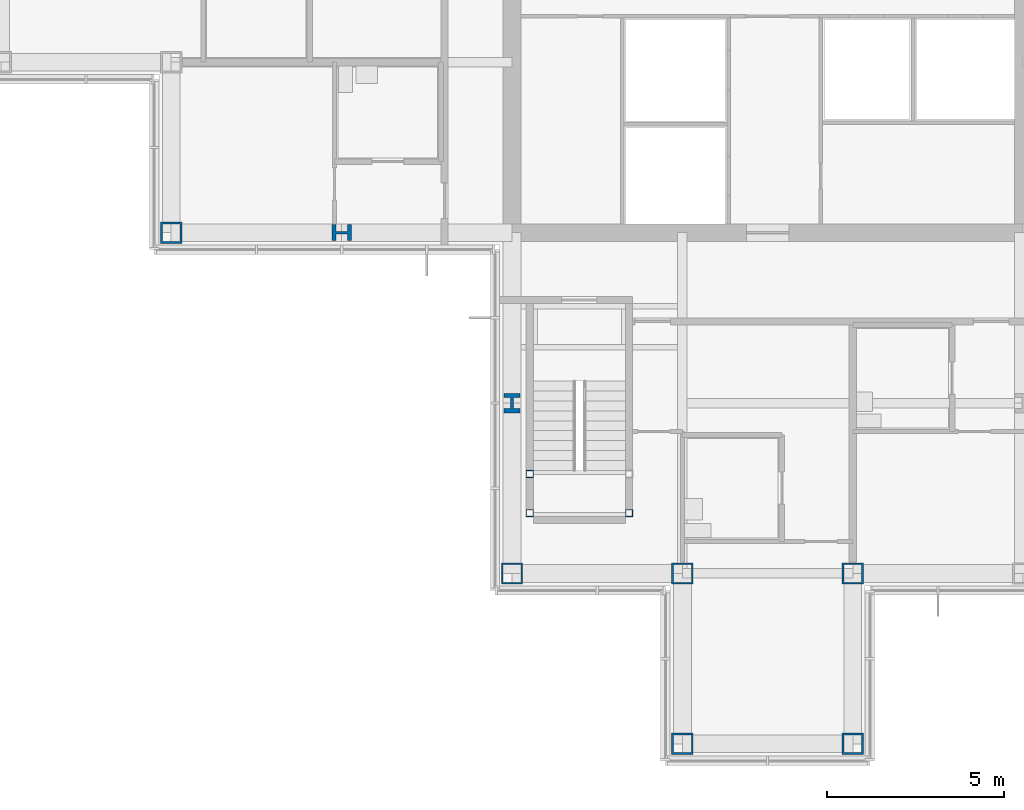
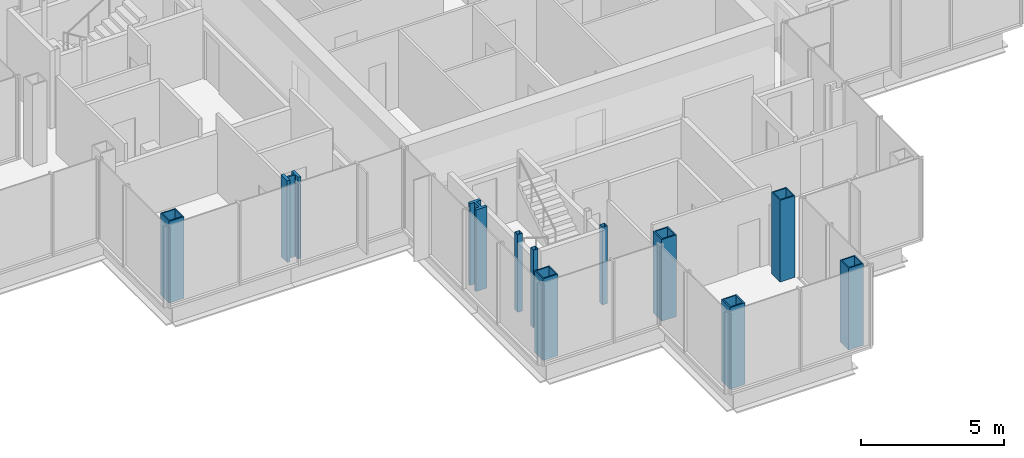
# One storey, part 1 of 15: 11 columns.
"""IFC4 building model written with IfcOpenShell, lengths in metres."""

from ifc_helpers import new_model, si_unit, direction, frame, origin, origin_2d, place, context, subcontext, project, spatial, hollow_rectangle, i_section, extrude, material, material_profile, profile_set, type_object, element, save


model = new_model("IFC4")

# Units and contexts
model_context = context("Model", 3, precision=1e-05, world=origin(), true_north=direction((0.0, 1.0)))
body_context = subcontext(model_context, "Body", "Model", "MODEL_VIEW")
ifc_project = project(units=[si_unit("LENGTHUNIT", "METRE"), si_unit("AREAUNIT", "SQUARE_METRE"), si_unit("VOLUMEUNIT", "CUBIC_METRE"), si_unit("PLANEANGLEUNIT", "RADIAN"), si_unit("MASSUNIT", "GRAM", prefix="KILO")], contexts=[model_context])

# Site, building, storey
site_placement = place(None, origin())
site = spatial("IfcSite", under=ifc_project, at=site_placement, CompositionType="ELEMENT")
building_placement = place(site_placement, origin())
building = spatial("IfcBuilding", under=site, at=building_placement, Name="Kvirike Care Tower", CompositionType="ELEMENT")
storey_placement = place(building_placement, frame((0.0, 0.0, 233.0)))
storey = spatial("IfcBuildingStorey", under=building, at=storey_placement, Name="L64", CompositionType="ELEMENT", Elevation=233.0)

# Columns
ifc_material_1 = material(Name="Steel S460", Category="steel")
ifc_material_profile_1 = material_profile(ifc_material_1, hollow_rectangle(XDim=0.60009765625, YDim=0.60009765625, WallThickness=0.050048828125, at=origin_2d()), Name="BX 600x600x50")
ifc_profile_set_1 = profile_set([ifc_material_profile_1], Name="Steel S460")
column_type_1 = type_object("IfcColumnType", Name="COLUMN BX 600x600x50", PredefinedType="COLUMN", material=ifc_profile_set_1)
for number, where, z_axis, x_axis, name in (
    (1, (4.800048828125, 28.800048828125, 0.0), (0.0, 0.0, 1.0), (0.0, 1.0, 0.0), "Column G4 L64"),
    (2, (14.39990234375, 19.199951171875, 0.0), (0.0, 0.0, 1.0), (0.0, 1.0, 0.0), "Column E6 L64"),
    (3, (19.199951171875, 14.39990234375, 0.0), (0.0, 0.0, 1.0), (0.0, 1.0, 0.0), "Column D7 L64"),
    (4, (19.199951171875, 19.199951171875, 0.0), (0.0, 0.0, 1.0), (0.0, 1.0, 0.0), "Column E7 L64"),
    (5, (24.0, 14.39990234375, 0.0), (0.0, 0.0, 1.0), (0.0, 1.0, 0.0), "Column D8 L64"),
    (6, (24.0, 19.199951171875, 0.0), (0.0, 0.0, 1.0), (0.0, 1.0, 0.0), "Column E8 L64"),
):
    element("IfcColumn", number, at=place(storey_placement, frame(where, z_axis=z_axis, x_axis=x_axis)), inside=storey, type_object=column_type_1, Name=name, PredefinedType="COLUMN", context=body_context, shape_type="SweptSolid", body=[
        extrude(hollow_rectangle(XDim=0.60009765625, YDim=0.60009765625, WallThickness=0.050048828125, at=origin_2d()), origin(), (0.0, 0.0, 1.0), 3.5),
    ])
ifc_material_2 = material(Name="Steel S460", Category="steel")
ifc_material_profile_2 = material_profile(ifc_material_2, i_section(OverallWidth=0.447998046875, OverallDepth=0.550048828125, WebThickness=0.072021484375, FlangeThickness=0.114990234375, FilletRadius=0.014892578125, at=origin_2d()), Name="HD 400x990")
ifc_profile_set_2 = profile_set([ifc_material_profile_2], Name="Steel S460")
column_type_2 = type_object("IfcColumnType", Name="COLUMN HD 400x990", PredefinedType="COLUMN", material=ifc_profile_set_2)
for number, where, z_axis, x_axis, name in (
    (7, (9.60009765625, 28.800048828125, 0.0), (0.0, 0.0, 1.0), (0.0, 1.0, 0.0), "Column G5 L64"),
    (8, (14.39990234375, 24.0, 0.0), (0.0, 0.0, 1.0), (1.0, 0.0, 0.0), "Column F6 L64"),
):
    element("IfcColumn", number, at=place(storey_placement, frame(where, z_axis=z_axis, x_axis=x_axis)), inside=storey, type_object=column_type_2, Name=name, PredefinedType="COLUMN", context=body_context, shape_type="SweptSolid", body=[
        extrude(i_section(OverallWidth=0.447998046875, OverallDepth=0.550048828125, WebThickness=0.072021484375, FlangeThickness=0.114990234375, FilletRadius=0.014892578125, at=origin_2d()), origin(), (0.0, 0.0, 1.0), 3.5),
    ])
ifc_material_3 = material(Name="Steel S460", Category="steel")
ifc_material_profile_3 = material_profile(ifc_material_3, hollow_rectangle(XDim=0.199951171875, YDim=0.199951171875, WallThickness=0.008056640625, at=origin_2d()), Name="SHS 200x200x8")
ifc_profile_set_3 = profile_set([ifc_material_profile_3], Name="Steel S460")
column_type_3 = type_object("IfcColumnType", Name="STAIR POST SHS 200x200x8", PredefinedType="COLUMN", material=ifc_profile_set_3)
for number, where, z_axis, x_axis, name in (
    (9, (14.89990234375, 20.89990234375, 0.0), (0.0, 0.0, 1.0), (1.0, 0.0, 0.0), "Stair 5 post 1 L64"),
    (10, (17.699951171875, 20.89990234375, 0.0), (0.0, 0.0, 1.0), (1.0, 0.0, 0.0), "Stair 5 post 2 L64"),
    (11, (14.89990234375, 22.0, 0.0), (0.0, 0.0, 1.0), (1.0, 0.0, 0.0), "Stair 5 post 3 L64"),
):
    element("IfcColumn", number, at=place(storey_placement, frame(where, z_axis=z_axis, x_axis=x_axis)), inside=storey, type_object=column_type_3, Name=name, PredefinedType="COLUMN", context=body_context, shape_type="SweptSolid", body=[
        extrude(hollow_rectangle(XDim=0.199951171875, YDim=0.199951171875, WallThickness=0.008056640625, at=origin_2d()), origin(), (0.0, 0.0, 1.0), 3.330078125),
    ])

save(model, "model.ifc")
